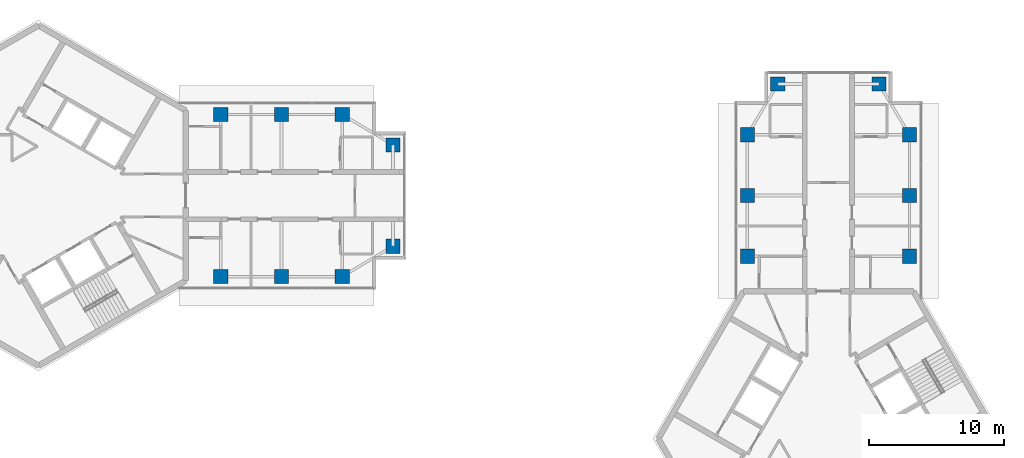
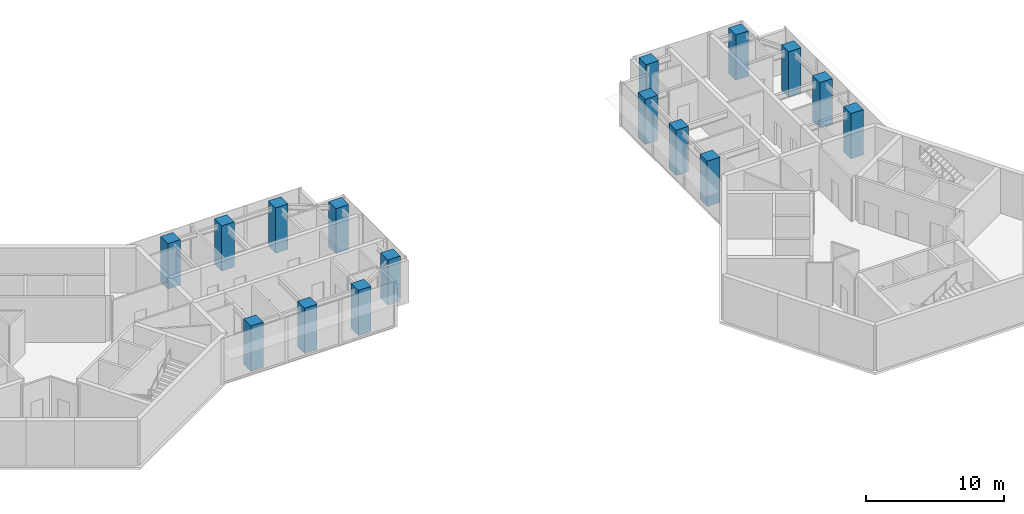
# One storey, part 1 of 11: 16 columns.
"""IFC4 building model written with IfcOpenShell, lengths in metres."""

from ifc_helpers import new_model, si_unit, direction, frame, origin, origin_2d, place, context, subcontext, project, spatial, rectangle, extrude, material, material_profile, profile_set, type_object, element, save


model = new_model("IFC4")

# Units and contexts
model_context = context("Model", 3, precision=1e-05, world=origin(), true_north=direction((0.0, 1.0)))
body_context = subcontext(model_context, "Body", "Model", "MODEL_VIEW")
ifc_project = project(units=[si_unit("LENGTHUNIT", "METRE"), si_unit("AREAUNIT", "SQUARE_METRE"), si_unit("VOLUMEUNIT", "CUBIC_METRE"), si_unit("PLANEANGLEUNIT", "RADIAN"), si_unit("MASSUNIT", "GRAM", prefix="KILO")], contexts=[model_context])

# Site, building, storey
site_placement = place(None, origin())
site = spatial("IfcSite", under=ifc_project, at=site_placement, CompositionType="ELEMENT")
building_placement = place(site_placement, origin())
building = spatial("IfcBuilding", under=site, at=building_placement, Name="Upepo Twin Towers", CompositionType="ELEMENT")
storey_placement = place(building_placement, frame((0.0, 0.0, 247.5)))
storey = spatial("IfcBuildingStorey", under=building, at=storey_placement, Name="L60", CompositionType="ELEMENT", Elevation=247.5)

# Columns
ifc_material = material(Name="Concrete C60/75", Category="concrete")
ifc_material_profile = material_profile(ifc_material, rectangle(XDim=1.050048828125, YDim=1.050048828125, at=origin_2d()), Name="RC 1050x1050")
ifc_profile_set = profile_set([ifc_material_profile], Name="Concrete C60/75")
column_type = type_object("IfcColumnType", Name="Tower column RC 1050x1050", PredefinedType="COLUMN", material=ifc_profile_set)
for number, where, z_axis, x_axis, name in (
    (1, (13.5, 6.0, 0.0), (0.0, 0.0, 1.0), (1.0, 0.0, 0.0), "T1 column AL135"),
    (2, (13.5, -6.0, 0.0), (0.0, 0.0, 1.0), (1.0, 0.0, 0.0), "T1 column AR135"),
    (3, (18.0, 6.0, 0.0), (0.0, 0.0, 1.0), (1.0, 0.0, 0.0), "T1 column AL180"),
    (4, (18.0, -6.0, 0.0), (0.0, 0.0, 1.0), (1.0, 0.0, 0.0), "T1 column AR180"),
    (5, (22.5, 6.0, 0.0), (0.0, 0.0, 1.0), (1.0, 0.0, 0.0), "T1 column AL225"),
    (6, (22.5, -6.0, 0.0), (0.0, 0.0, 1.0), (1.0, 0.0, 0.0), "T1 column AR225"),
    (7, (26.25, 3.75, 0.0), (0.0, 0.0, 1.0), (1.0, 0.0, 0.0), "T1 column ALN"),
    (8, (26.25, -3.75, 0.0), (0.0, 0.0, 1.0), (1.0, 0.0, 0.0), "T1 column ARN"),
    (9, (52.5, -4.5, 0.0), (0.0, 0.0, 1.0), (1.0, 0.0, 0.0), "T2 column AL135"),
    (10, (64.5, -4.5, 0.0), (0.0, 0.0, 1.0), (1.0, 0.0, 0.0), "T2 column AR135"),
    (11, (52.5, 0.0, 0.0), (0.0, 0.0, 1.0), (1.0, 0.0, 0.0), "T2 column AL180"),
    (12, (64.5, 0.0, 0.0), (0.0, 0.0, 1.0), (1.0, 0.0, 0.0), "T2 column AR180"),
    (13, (52.5, 4.5, 0.0), (0.0, 0.0, 1.0), (1.0, 0.0, 0.0), "T2 column AL225"),
    (14, (64.5, 4.5, 0.0), (0.0, 0.0, 1.0), (1.0, 0.0, 0.0), "T2 column AR225"),
    (15, (54.75, 8.25, 0.0), (0.0, 0.0, 1.0), (1.0, 0.0, 0.0), "T2 column ALN"),
    (16, (62.25, 8.25, 0.0), (0.0, 0.0, 1.0), (1.0, 0.0, 0.0), "T2 column ARN"),
):
    element("IfcColumn", number, at=place(storey_placement, frame(where, z_axis=z_axis, x_axis=x_axis)), inside=storey, type_object=column_type, Name=name, PredefinedType="COLUMN", context=body_context, shape_type="SweptSolid", body=[
        extrude(rectangle(XDim=1.050048828125, YDim=1.050048828125, at=origin_2d()), origin(), (0.0, 0.0, 1.0), 4.0),
    ])

save(model, "model.ifc")
